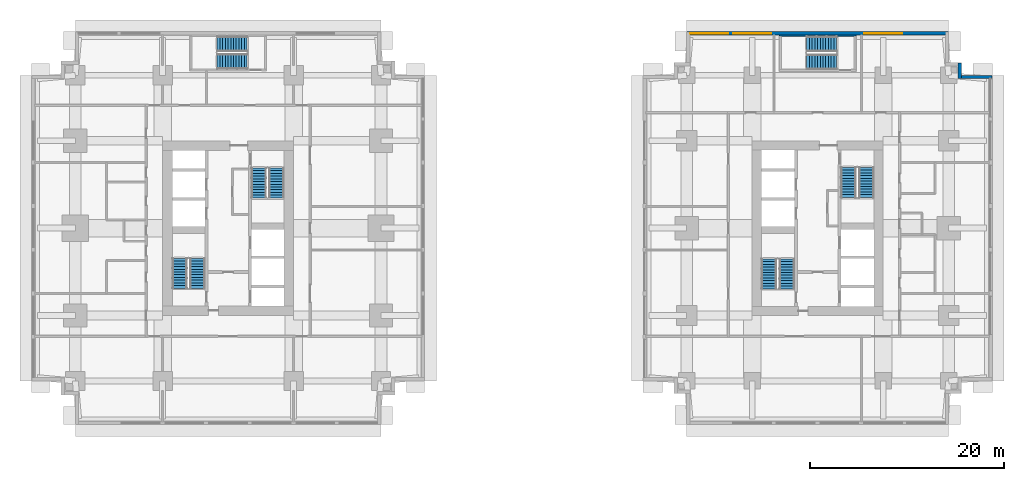
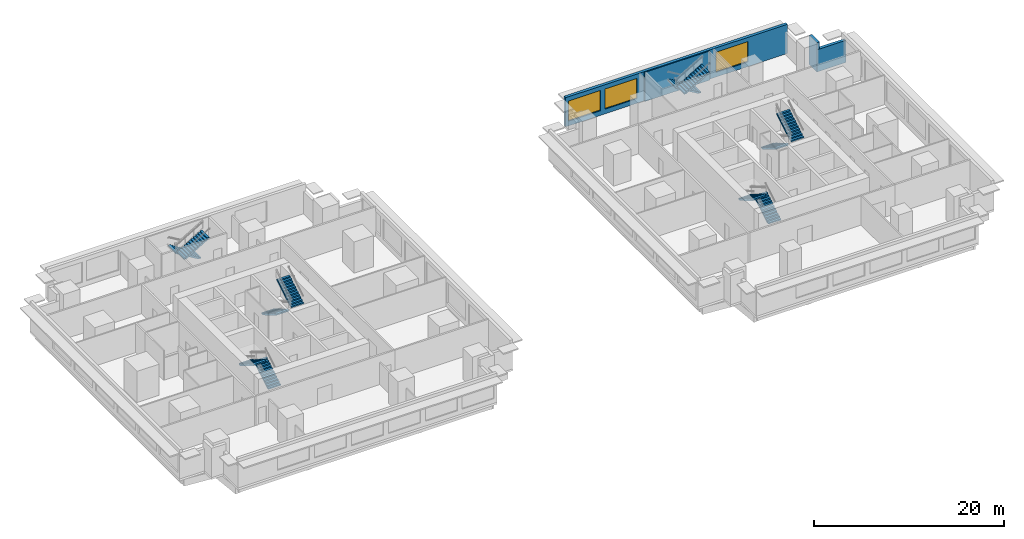
# One storey, part 8 of 11: 12 stair flights, 4 walls, 3 windows, 3 openings, 6 elements without a shape of their own.
"""IFC4 building model written with IfcOpenShell, lengths in metres."""

from ifc_helpers import new_model, si_unit, direction, frame, frame_2d, origin, place, context, subcontext, project, spatial, polyline, rectangle, outline, extrude, material, layer, layer_set, type_object, element, fill, aggregate, save


model = new_model("IFC4")

# Units and contexts
model_context = context("Model", 3, precision=1e-05, world=origin(), true_north=direction((0.0, 1.0)))
body_context = subcontext(model_context, "Body", "Model", "MODEL_VIEW")
ifc_project = project(units=[si_unit("LENGTHUNIT", "METRE"), si_unit("AREAUNIT", "SQUARE_METRE"), si_unit("VOLUMEUNIT", "CUBIC_METRE"), si_unit("PLANEANGLEUNIT", "RADIAN"), si_unit("MASSUNIT", "GRAM", prefix="KILO")], contexts=[model_context])

# Site, building, storey
site_placement = place(None, origin())
site = spatial("IfcSite", under=ifc_project, at=site_placement, CompositionType="ELEMENT")
building_placement = place(site_placement, origin())
building = spatial("IfcBuilding", under=site, at=building_placement, Name="Namib Vertical Campus", CompositionType="ELEMENT")
storey_placement = place(building_placement, frame((0.0, 0.0, 53.0)))
storey = spatial("IfcBuildingStorey", under=building, at=storey_placement, Name="L12", CompositionType="ELEMENT", Elevation=53.0)

# Walls
ifc_material_1 = material(Name="Concrete C40/50", Category="concrete")
ifc_layer_1 = layer(ifc_material_1, 0.35009765625)
ifc_layer_set_1 = layer_set([ifc_layer_1], Name="Concrete C40/50")
wall_type_1 = type_object("IfcWallType", Name="External wall 350 bush-hammered concrete", PredefinedType="STANDARD", material=ifc_layer_set_1)
wall_1_placement = place(storey_placement, frame((98.97998046875, 35.824951171875, 0.0), z_axis=(0.0, 0.0, 1.0), x_axis=(-1.0, 0.0, 0.0)))
element("IfcWall", 1, at=wall_1_placement, inside=storey, type_object=wall_type_1, Name="External wall L12 F07", PredefinedType="STANDARD", context=body_context, shape_type="SweptSolid", body=[
    extrude(rectangle(XDim=3.510009765625, YDim=0.35009765625, at=frame_2d((1.7548828125, 0.0))), origin(), (0.0, 0.0, 1.0), 2.85009765625),
])
wall_2_placement = place(storey_placement, frame((95.625, 35.669921875, 0.0), z_axis=(0.0, 0.0, 1.0), x_axis=(0.0, 1.0, 0.0)))
element("IfcWall", 2, at=wall_2_placement, inside=storey, type_object=wall_type_1, Name="External wall L12 F08", PredefinedType="STANDARD", context=body_context, shape_type="SweptSolid", body=[
    extrude(rectangle(XDim=1.610107421875, YDim=0.35009765625, at=frame_2d((0.80517578125, 0.0))), origin(), (0.0, 0.0, 1.0), 3.75),
])

# Wall, openings, windows
wall_3_placement = place(storey_placement, frame((94.47998046875, 40.324951171875, 0.0), z_axis=(0.0, 0.0, 1.0), x_axis=(-1.0, 0.0, 0.0)))
wall_3 = element("IfcWall", 3, at=wall_3_placement, inside=storey, type_object=wall_type_1, Name="External wall L12 F11", PredefinedType="STANDARD", context=body_context, shape_type="SweptSolid", body=[
    extrude(rectangle(XDim=26.9599609375, YDim=0.35009765625, at=frame_2d((13.47998046875, 0.0))), origin(), (0.0, 0.0, 1.0), 3.75),
])
opening_1_placement = place(wall_3_placement, frame((22.7099609375, 0.0, 0.60009765625)))
opening_1 = element("IfcOpeningElement", 4, at=opening_1_placement, cuts=wall_3, Name="Opening W2", PredefinedType="OPENING", context=body_context, shape_type="SweptSolid", body=[
    extrude(rectangle(XDim=3.89990234375, YDim=2.60009765625, at=frame_2d((1.949951171875, 1.300048828125))), frame((0.0, 0.18505859375, 0.0), z_axis=(0.0, -1.0, 0.0), x_axis=(1.0, 0.0, 0.0)), (0.0, 0.0, 1.0), 0.3701171875),
])
opening_2_placement = place(wall_3_placement, frame((18.280029296875, 0.0, 0.60009765625)))
opening_2 = element("IfcOpeningElement", 5, at=opening_2_placement, cuts=wall_3, Name="Opening W2", PredefinedType="OPENING", context=body_context, shape_type="SweptSolid", body=[
    extrude(rectangle(XDim=3.89990234375, YDim=2.60009765625, at=frame_2d((1.949951171875, 1.300048828125))), frame((0.0, 0.18505859375, 0.0), z_axis=(0.0, -1.0, 0.0), x_axis=(1.0, 0.0, 0.0)), (0.0, 0.0, 1.0), 0.3701171875),
])
opening_3_placement = place(wall_3_placement, frame((4.780029296875, 0.0, 0.60009765625)))
opening_3 = element("IfcOpeningElement", 6, at=opening_3_placement, cuts=wall_3, Name="Opening W2", PredefinedType="OPENING", context=body_context, shape_type="SweptSolid", body=[
    extrude(rectangle(XDim=3.89990234375, YDim=2.60009765625, at=frame_2d((1.949951171875, 1.300048828125))), frame((0.0, 0.18505859375, 0.0), z_axis=(0.0, -1.0, 0.0), x_axis=(1.0, 0.0, 0.0)), (0.0, 0.0, 1.0), 0.3701171875),
])
ifc_material_2 = material(Name="Dark tinted glass in black aluminium frame", Category="aluminium")
window_type = type_object("IfcWindowType", Name="Ribbon window 3900x2600", PartitioningType="SINGLE_PANEL", PredefinedType="WINDOW", material=ifc_material_2)
window_1_placement = place(opening_1_placement, origin())
window_1 = element("IfcWindow", 7, at=window_1_placement, inside=storey, type_object=window_type, Name="Window W2 L12 F11-1", OverallHeight=2.60009765625, OverallWidth=3.89990234375, PartitioningType="SINGLE_PANEL", PredefinedType="WINDOW", context=body_context, shape_type="SweptSolid", body=[
    extrude(rectangle(XDim=3.89990234375, YDim=2.60009765625, at=frame_2d((1.949951171875, 1.300048828125))), frame((0.0, 0.030029296875, 0.0), z_axis=(0.0, -1.0, 0.0), x_axis=(1.0, 0.0, 0.0)), (0.0, 0.0, 1.0), 0.06005859375),
])
fill(opening_1, window_1)
window_2_placement = place(opening_2_placement, origin())
window_2 = element("IfcWindow", 8, at=window_2_placement, inside=storey, type_object=window_type, Name="Window W2 L12 F11-2", OverallHeight=2.60009765625, OverallWidth=3.89990234375, PartitioningType="SINGLE_PANEL", PredefinedType="WINDOW", context=body_context, shape_type="SweptSolid", body=[
    extrude(rectangle(XDim=3.89990234375, YDim=2.60009765625, at=frame_2d((1.949951171875, 1.300048828125))), frame((0.0, 0.030029296875, 0.0), z_axis=(0.0, -1.0, 0.0), x_axis=(1.0, 0.0, 0.0)), (0.0, 0.0, 1.0), 0.06005859375),
])
fill(opening_2, window_2)
window_3_placement = place(opening_3_placement, origin())
window_3 = element("IfcWindow", 9, at=window_3_placement, inside=storey, type_object=window_type, Name="Window W2 L12 F11-5", OverallHeight=2.60009765625, OverallWidth=3.89990234375, PartitioningType="SINGLE_PANEL", PredefinedType="WINDOW", context=body_context, shape_type="SweptSolid", body=[
    extrude(rectangle(XDim=3.89990234375, YDim=2.60009765625, at=frame_2d((1.949951171875, 1.300048828125))), frame((0.0, 0.030029296875, 0.0), z_axis=(0.0, -1.0, 0.0), x_axis=(1.0, 0.0, 0.0)), (0.0, 0.0, 1.0), 0.06005859375),
])
fill(opening_3, window_3)

# Wall
ifc_material_3 = material(Name="Concrete C40/50", Category="concrete")
ifc_layer_2 = layer(ifc_material_3, 0.14990234375)
ifc_layer_set_2 = layer_set([ifc_layer_2], Name="Concrete C40/50")
wall_type_2 = type_object("IfcWallType", Name="Stair enclosure wall RC 150", PredefinedType="SOLIDWALL", material=ifc_layer_set_2)
wall_4_placement = place(storey_placement, frame((77.050048828125, 40.074951171875, 0.0), z_axis=(0.0, 0.0, 1.0), x_axis=(1.0, 0.0, 0.0)))
element("IfcWall", 10, at=wall_4_placement, inside=storey, type_object=wall_type_2, Name="Stair enclosure wall B-S3 L12 N", PredefinedType="SOLIDWALL", context=body_context, shape_type="SweptSolid", body=[
    extrude(rectangle(XDim=7.89990234375, YDim=0.14990234375, at=frame_2d((3.949951171875, 0.0))), origin(), (0.0, 0.0, 1.0), 3.75),
])

# Stair, stair flights
ifc_material_4 = material(Name="Concrete C40/50 precast", Category="concrete")
stair_type_1 = type_object("IfcStairType", Name="Exit stair 4000 rise 24 risers 3350 wide", PredefinedType="HALF_TURN_STAIR", material=ifc_material_4)
stair_1_placement = place(storey_placement, origin())
stair_1 = element("IfcStair", 11, at=stair_1_placement, inside=storey, type_object=stair_type_1, Name="Exit stair A-S1 L12", PredefinedType="HALF_TURN_STAIR")
ifc_material_5 = material(Name="Concrete C40/50 precast", Category="concrete")
stair_flight_type_1 = type_object("IfcStairFlightType", Name="Stair flight 12 risers 167 1525 wide", PredefinedType="STRAIGHT", material=ifc_material_5)
stair_flight_1_placement = place(storey_placement, frame((17.08740234375, 14.050048828125, 0.0), z_axis=(0.0, 0.0, 1.0), x_axis=(0.0, 1.0, 0.0)))
stair_flight_1 = element("IfcStairFlight", 12, at=stair_flight_1_placement, type_object=stair_flight_type_1, Name="A-S1 flight 1", NumberOfRisers=12, NumberOfTreads=11, PredefinedType="STRAIGHT", RiserHeight=0.166666667, TreadLength=0.28, context=body_context, shape_type="SweptSolid", body=[
    extrude(outline(polyline([(0.0, 0.0), (0.0, 0.166748046875), (0.280029296875, 0.166748046875), (0.280029296875, 0.333251953125), (0.56005859375, 0.333251953125), (0.56005859375, 0.5), (0.840087890625, 0.5), (0.840087890625, 0.666748046875), (1.1201171875, 0.666748046875), (1.1201171875, 0.833251953125), (1.39990234375, 0.833251953125), (1.39990234375, 1.0), (1.679931640625, 1.0), (1.679931640625, 1.166748046875), (1.9599609375, 1.166748046875), (1.9599609375, 1.333251953125), (2.239990234375, 1.333251953125), (2.239990234375, 1.5), (2.52001953125, 1.5), (2.52001953125, 1.666748046875), (2.800048828125, 1.666748046875), (2.800048828125, 1.833251953125), (3.080078125, 1.833251953125), (3.080078125, 2.0), (3.080078125, 1.658935546875), (0.29296875, 0.0), (0.0, 0.0)])), frame((0.0, 0.762451171875, 0.0), z_axis=(0.0, -1.0, 0.0), x_axis=(1.0, 0.0, 0.0)), (0.0, 0.0, 1.0), 1.52490234375),
])
stair_flight_2_placement = place(storey_placement, frame((15.262451171875, 17.1298828125, 2.0), z_axis=(0.0, 0.0, 1.0), x_axis=(0.0, -1.0, 0.0)))
stair_flight_2 = element("IfcStairFlight", 13, at=stair_flight_2_placement, type_object=stair_flight_type_1, Name="A-S1 flight 2", NumberOfRisers=12, NumberOfTreads=11, PredefinedType="STRAIGHT", RiserHeight=0.166666667, TreadLength=0.28, context=body_context, shape_type="SweptSolid", body=[
    extrude(outline(polyline([(0.0, 0.0), (0.0, 0.166748046875), (0.280029296875, 0.166748046875), (0.280029296875, 0.333251953125), (0.56005859375, 0.333251953125), (0.56005859375, 0.5), (0.840087890625, 0.5), (0.840087890625, 0.666748046875), (1.1201171875, 0.666748046875), (1.1201171875, 0.833251953125), (1.39990234375, 0.833251953125), (1.39990234375, 1.0), (1.679931640625, 1.0), (1.679931640625, 1.166748046875), (1.9599609375, 1.166748046875), (1.9599609375, 1.333251953125), (2.239990234375, 1.333251953125), (2.239990234375, 1.5), (2.52001953125, 1.5), (2.52001953125, 1.666748046875), (2.800048828125, 1.666748046875), (2.800048828125, 1.833251953125), (3.080078125, 1.833251953125), (3.080078125, 2.0), (3.080078125, 1.658935546875), (0.29296875, 0.0), (0.0, 0.0)])), frame((0.0, 0.762451171875, 0.0), z_axis=(0.0, -1.0, 0.0), x_axis=(1.0, 0.0, 0.0)), (0.0, 0.0, 1.0), 1.52490234375),
])
aggregate(stair_1, [stair_flight_1, stair_flight_2])

stair_2_placement = place(storey_placement, origin())
stair_2 = element("IfcStair", 14, at=stair_2_placement, inside=storey, type_object=stair_type_1, Name="Exit stair A-S2 L12", PredefinedType="HALF_TURN_STAIR")
stair_flight_3_placement = place(storey_placement, frame((23.41259765625, 26.449951171875, 0.0), z_axis=(0.0, 0.0, 1.0), x_axis=(0.0, -1.0, 0.0)))
stair_flight_3 = element("IfcStairFlight", 15, at=stair_flight_3_placement, type_object=stair_flight_type_1, Name="A-S2 flight 1", NumberOfRisers=12, NumberOfTreads=11, PredefinedType="STRAIGHT", RiserHeight=0.166666667, TreadLength=0.28, context=body_context, shape_type="SweptSolid", body=[
    extrude(outline(polyline([(0.0, 0.0), (0.0, 0.166748046875), (0.280029296875, 0.166748046875), (0.280029296875, 0.333251953125), (0.56005859375, 0.333251953125), (0.56005859375, 0.5), (0.840087890625, 0.5), (0.840087890625, 0.666748046875), (1.1201171875, 0.666748046875), (1.1201171875, 0.833251953125), (1.39990234375, 0.833251953125), (1.39990234375, 1.0), (1.679931640625, 1.0), (1.679931640625, 1.166748046875), (1.9599609375, 1.166748046875), (1.9599609375, 1.333251953125), (2.239990234375, 1.333251953125), (2.239990234375, 1.5), (2.52001953125, 1.5), (2.52001953125, 1.666748046875), (2.800048828125, 1.666748046875), (2.800048828125, 1.833251953125), (3.080078125, 1.833251953125), (3.080078125, 2.0), (3.080078125, 1.658935546875), (0.29296875, 0.0), (0.0, 0.0)])), frame((0.0, 0.762451171875, 0.0), z_axis=(0.0, -1.0, 0.0), x_axis=(1.0, 0.0, 0.0)), (0.0, 0.0, 1.0), 1.52490234375),
])
stair_flight_4_placement = place(storey_placement, frame((25.237548828125, 23.3701171875, 2.0), z_axis=(0.0, 0.0, 1.0), x_axis=(0.0, 1.0, 0.0)))
stair_flight_4 = element("IfcStairFlight", 16, at=stair_flight_4_placement, type_object=stair_flight_type_1, Name="A-S2 flight 2", NumberOfRisers=12, NumberOfTreads=11, PredefinedType="STRAIGHT", RiserHeight=0.166666667, TreadLength=0.28, context=body_context, shape_type="SweptSolid", body=[
    extrude(outline(polyline([(0.0, 0.0), (0.0, 0.166748046875), (0.280029296875, 0.166748046875), (0.280029296875, 0.333251953125), (0.56005859375, 0.333251953125), (0.56005859375, 0.5), (0.840087890625, 0.5), (0.840087890625, 0.666748046875), (1.1201171875, 0.666748046875), (1.1201171875, 0.833251953125), (1.39990234375, 0.833251953125), (1.39990234375, 1.0), (1.679931640625, 1.0), (1.679931640625, 1.166748046875), (1.9599609375, 1.166748046875), (1.9599609375, 1.333251953125), (2.239990234375, 1.333251953125), (2.239990234375, 1.5), (2.52001953125, 1.5), (2.52001953125, 1.666748046875), (2.800048828125, 1.666748046875), (2.800048828125, 1.833251953125), (3.080078125, 1.833251953125), (3.080078125, 2.0), (3.080078125, 1.658935546875), (0.29296875, 0.0), (0.0, 0.0)])), frame((0.0, 0.762451171875, 0.0), z_axis=(0.0, -1.0, 0.0), x_axis=(1.0, 0.0, 0.0)), (0.0, 0.0, 1.0), 1.52490234375),
])
aggregate(stair_2, [stair_flight_3, stair_flight_4])

stair_3_placement = place(storey_placement, origin())
stair_3 = element("IfcStair", 17, at=stair_3_placement, inside=storey, type_object=stair_type_1, Name="Exit stair A-S3 L12", PredefinedType="HALF_TURN_STAIR")
stair_flight_5_placement = place(storey_placement, frame((22.199951171875, 39.237548828125, 0.0), z_axis=(0.0, 0.0, 1.0), x_axis=(-1.0, 0.0, 0.0)))
stair_flight_5 = element("IfcStairFlight", 18, at=stair_flight_5_placement, type_object=stair_flight_type_1, Name="A-S3 flight 1", NumberOfRisers=12, NumberOfTreads=11, PredefinedType="STRAIGHT", RiserHeight=0.166666667, TreadLength=0.28, context=body_context, shape_type="SweptSolid", body=[
    extrude(outline(polyline([(0.0, 0.0), (0.0, 0.166748046875), (0.280029296875, 0.166748046875), (0.280029296875, 0.333251953125), (0.56005859375, 0.333251953125), (0.56005859375, 0.5), (0.840087890625, 0.5), (0.840087890625, 0.666748046875), (1.1201171875, 0.666748046875), (1.1201171875, 0.833251953125), (1.39990234375, 0.833251953125), (1.39990234375, 1.0), (1.679931640625, 1.0), (1.679931640625, 1.166748046875), (1.9599609375, 1.166748046875), (1.9599609375, 1.333251953125), (2.239990234375, 1.333251953125), (2.239990234375, 1.5), (2.52001953125, 1.5), (2.52001953125, 1.666748046875), (2.800048828125, 1.666748046875), (2.800048828125, 1.833251953125), (3.080078125, 1.833251953125), (3.080078125, 2.0), (3.080078125, 1.658935546875), (0.29296875, 0.0), (0.0, 0.0)])), frame((0.0, 0.762451171875, 0.0), z_axis=(0.0, -1.0, 0.0), x_axis=(1.0, 0.0, 0.0)), (0.0, 0.0, 1.0), 1.52490234375),
])
stair_flight_6_placement = place(storey_placement, frame((19.1201171875, 37.41259765625, 2.0), z_axis=(0.0, 0.0, 1.0), x_axis=(1.0, 0.0, 0.0)))
stair_flight_6 = element("IfcStairFlight", 19, at=stair_flight_6_placement, type_object=stair_flight_type_1, Name="A-S3 flight 2", NumberOfRisers=12, NumberOfTreads=11, PredefinedType="STRAIGHT", RiserHeight=0.166666667, TreadLength=0.28, context=body_context, shape_type="SweptSolid", body=[
    extrude(outline(polyline([(0.0, 0.0), (0.0, 0.166748046875), (0.280029296875, 0.166748046875), (0.280029296875, 0.333251953125), (0.56005859375, 0.333251953125), (0.56005859375, 0.5), (0.840087890625, 0.5), (0.840087890625, 0.666748046875), (1.1201171875, 0.666748046875), (1.1201171875, 0.833251953125), (1.39990234375, 0.833251953125), (1.39990234375, 1.0), (1.679931640625, 1.0), (1.679931640625, 1.166748046875), (1.9599609375, 1.166748046875), (1.9599609375, 1.333251953125), (2.239990234375, 1.333251953125), (2.239990234375, 1.5), (2.52001953125, 1.5), (2.52001953125, 1.666748046875), (2.800048828125, 1.666748046875), (2.800048828125, 1.833251953125), (3.080078125, 1.833251953125), (3.080078125, 2.0), (3.080078125, 1.658935546875), (0.29296875, 0.0), (0.0, 0.0)])), frame((0.0, 0.762451171875, 0.0), z_axis=(0.0, -1.0, 0.0), x_axis=(1.0, 0.0, 0.0)), (0.0, 0.0, 1.0), 1.52490234375),
])
aggregate(stair_3, [stair_flight_5, stair_flight_6])

ifc_material_6 = material(Name="Concrete C40/50 precast", Category="concrete")
stair_type_2 = type_object("IfcStairType", Name="Exit stair 4000 rise 24 risers 3400 wide", PredefinedType="HALF_TURN_STAIR", material=ifc_material_6)
stair_4_placement = place(storey_placement, origin())
stair_4 = element("IfcStair", 20, at=stair_4_placement, inside=storey, type_object=stair_type_2, Name="Exit stair B-S1 L12", PredefinedType="HALF_TURN_STAIR")
ifc_material_7 = material(Name="Concrete C40/50 precast", Category="concrete")
stair_flight_type_2 = type_object("IfcStairFlightType", Name="Stair flight 12 risers 167 1550 wide", PredefinedType="STRAIGHT", material=ifc_material_7)
stair_flight_7_placement = place(storey_placement, frame((77.824951171875, 14.0, 0.0), z_axis=(0.0, 0.0, 1.0), x_axis=(0.0, 1.0, 0.0)))
stair_flight_7 = element("IfcStairFlight", 21, at=stair_flight_7_placement, type_object=stair_flight_type_2, Name="B-S1 flight 1", NumberOfRisers=12, NumberOfTreads=11, PredefinedType="STRAIGHT", RiserHeight=0.166666667, TreadLength=0.28, context=body_context, shape_type="SweptSolid", body=[
    extrude(outline(polyline([(0.0, 0.0), (0.0, 0.166748046875), (0.280029296875, 0.166748046875), (0.280029296875, 0.333251953125), (0.56005859375, 0.333251953125), (0.56005859375, 0.5), (0.840087890625, 0.5), (0.840087890625, 0.666748046875), (1.1201171875, 0.666748046875), (1.1201171875, 0.833251953125), (1.39990234375, 0.833251953125), (1.39990234375, 1.0), (1.679931640625, 1.0), (1.679931640625, 1.166748046875), (1.9599609375, 1.166748046875), (1.9599609375, 1.333251953125), (2.239990234375, 1.333251953125), (2.239990234375, 1.5), (2.52001953125, 1.5), (2.52001953125, 1.666748046875), (2.800048828125, 1.666748046875), (2.800048828125, 1.833251953125), (3.080078125, 1.833251953125), (3.080078125, 2.0), (3.080078125, 1.658935546875), (0.29296875, 0.0), (0.0, 0.0)])), frame((0.0, 0.77490234375, 0.0), z_axis=(0.0, -1.0, 0.0), x_axis=(1.0, 0.0, 0.0)), (0.0, 0.0, 1.0), 1.550048828125),
])
stair_flight_8_placement = place(storey_placement, frame((75.97509765625, 17.080078125, 2.0), z_axis=(0.0, 0.0, 1.0), x_axis=(0.0, -1.0, 0.0)))
stair_flight_8 = element("IfcStairFlight", 22, at=stair_flight_8_placement, type_object=stair_flight_type_2, Name="B-S1 flight 2", NumberOfRisers=12, NumberOfTreads=11, PredefinedType="STRAIGHT", RiserHeight=0.166666667, TreadLength=0.28, context=body_context, shape_type="SweptSolid", body=[
    extrude(outline(polyline([(0.0, 0.0), (0.0, 0.166748046875), (0.280029296875, 0.166748046875), (0.280029296875, 0.333251953125), (0.56005859375, 0.333251953125), (0.56005859375, 0.5), (0.840087890625, 0.5), (0.840087890625, 0.666748046875), (1.1201171875, 0.666748046875), (1.1201171875, 0.833251953125), (1.39990234375, 0.833251953125), (1.39990234375, 1.0), (1.679931640625, 1.0), (1.679931640625, 1.166748046875), (1.9599609375, 1.166748046875), (1.9599609375, 1.333251953125), (2.239990234375, 1.333251953125), (2.239990234375, 1.5), (2.52001953125, 1.5), (2.52001953125, 1.666748046875), (2.800048828125, 1.666748046875), (2.800048828125, 1.833251953125), (3.080078125, 1.833251953125), (3.080078125, 2.0), (3.080078125, 1.658935546875), (0.29296875, 0.0), (0.0, 0.0)])), frame((0.0, 0.77490234375, 0.0), z_axis=(0.0, -1.0, 0.0), x_axis=(1.0, 0.0, 0.0)), (0.0, 0.0, 1.0), 1.550048828125),
])
aggregate(stair_4, [stair_flight_7, stair_flight_8])

stair_5_placement = place(storey_placement, origin())
stair_5 = element("IfcStair", 23, at=stair_5_placement, inside=storey, type_object=stair_type_2, Name="Exit stair B-S2 L12", PredefinedType="HALF_TURN_STAIR")
stair_flight_9_placement = place(storey_placement, frame((84.175048828125, 26.5, 0.0), z_axis=(0.0, 0.0, 1.0), x_axis=(0.0, -1.0, 0.0)))
stair_flight_9 = element("IfcStairFlight", 24, at=stair_flight_9_placement, type_object=stair_flight_type_2, Name="B-S2 flight 1", NumberOfRisers=12, NumberOfTreads=11, PredefinedType="STRAIGHT", RiserHeight=0.166666667, TreadLength=0.28, context=body_context, shape_type="SweptSolid", body=[
    extrude(outline(polyline([(0.0, 0.0), (0.0, 0.166748046875), (0.280029296875, 0.166748046875), (0.280029296875, 0.333251953125), (0.56005859375, 0.333251953125), (0.56005859375, 0.5), (0.840087890625, 0.5), (0.840087890625, 0.666748046875), (1.1201171875, 0.666748046875), (1.1201171875, 0.833251953125), (1.39990234375, 0.833251953125), (1.39990234375, 1.0), (1.679931640625, 1.0), (1.679931640625, 1.166748046875), (1.9599609375, 1.166748046875), (1.9599609375, 1.333251953125), (2.239990234375, 1.333251953125), (2.239990234375, 1.5), (2.52001953125, 1.5), (2.52001953125, 1.666748046875), (2.800048828125, 1.666748046875), (2.800048828125, 1.833251953125), (3.080078125, 1.833251953125), (3.080078125, 2.0), (3.080078125, 1.658935546875), (0.29296875, 0.0), (0.0, 0.0)])), frame((0.0, 0.77490234375, 0.0), z_axis=(0.0, -1.0, 0.0), x_axis=(1.0, 0.0, 0.0)), (0.0, 0.0, 1.0), 1.550048828125),
])
stair_flight_10_placement = place(storey_placement, frame((86.02490234375, 23.419921875, 2.0), z_axis=(0.0, 0.0, 1.0), x_axis=(0.0, 1.0, 0.0)))
stair_flight_10 = element("IfcStairFlight", 25, at=stair_flight_10_placement, type_object=stair_flight_type_2, Name="B-S2 flight 2", NumberOfRisers=12, NumberOfTreads=11, PredefinedType="STRAIGHT", RiserHeight=0.166666667, TreadLength=0.28, context=body_context, shape_type="SweptSolid", body=[
    extrude(outline(polyline([(0.0, 0.0), (0.0, 0.166748046875), (0.280029296875, 0.166748046875), (0.280029296875, 0.333251953125), (0.56005859375, 0.333251953125), (0.56005859375, 0.5), (0.840087890625, 0.5), (0.840087890625, 0.666748046875), (1.1201171875, 0.666748046875), (1.1201171875, 0.833251953125), (1.39990234375, 0.833251953125), (1.39990234375, 1.0), (1.679931640625, 1.0), (1.679931640625, 1.166748046875), (1.9599609375, 1.166748046875), (1.9599609375, 1.333251953125), (2.239990234375, 1.333251953125), (2.239990234375, 1.5), (2.52001953125, 1.5), (2.52001953125, 1.666748046875), (2.800048828125, 1.666748046875), (2.800048828125, 1.833251953125), (3.080078125, 1.833251953125), (3.080078125, 2.0), (3.080078125, 1.658935546875), (0.29296875, 0.0), (0.0, 0.0)])), frame((0.0, 0.77490234375, 0.0), z_axis=(0.0, -1.0, 0.0), x_axis=(1.0, 0.0, 0.0)), (0.0, 0.0, 1.0), 1.550048828125),
])
aggregate(stair_5, [stair_flight_9, stair_flight_10])

stair_6_placement = place(storey_placement, origin())
stair_6 = element("IfcStair", 26, at=stair_6_placement, inside=storey, type_object=stair_type_2, Name="Exit stair B-S3 L12", PredefinedType="HALF_TURN_STAIR")
stair_flight_11_placement = place(storey_placement, frame((82.949951171875, 39.22509765625, 0.0), z_axis=(0.0, 0.0, 1.0), x_axis=(-1.0, 0.0, 0.0)))
stair_flight_11 = element("IfcStairFlight", 27, at=stair_flight_11_placement, type_object=stair_flight_type_2, Name="B-S3 flight 1", NumberOfRisers=12, NumberOfTreads=11, PredefinedType="STRAIGHT", RiserHeight=0.166666667, TreadLength=0.28, context=body_context, shape_type="SweptSolid", body=[
    extrude(outline(polyline([(0.0, 0.0), (0.0, 0.166748046875), (0.280029296875, 0.166748046875), (0.280029296875, 0.333251953125), (0.56005859375, 0.333251953125), (0.56005859375, 0.5), (0.840087890625, 0.5), (0.840087890625, 0.666748046875), (1.1201171875, 0.666748046875), (1.1201171875, 0.833251953125), (1.39990234375, 0.833251953125), (1.39990234375, 1.0), (1.679931640625, 1.0), (1.679931640625, 1.166748046875), (1.9599609375, 1.166748046875), (1.9599609375, 1.333251953125), (2.239990234375, 1.333251953125), (2.239990234375, 1.5), (2.52001953125, 1.5), (2.52001953125, 1.666748046875), (2.800048828125, 1.666748046875), (2.800048828125, 1.833251953125), (3.080078125, 1.833251953125), (3.080078125, 2.0), (3.080078125, 1.658935546875), (0.29296875, 0.0), (0.0, 0.0)])), frame((0.0, 0.77490234375, 0.0), z_axis=(0.0, -1.0, 0.0), x_axis=(1.0, 0.0, 0.0)), (0.0, 0.0, 1.0), 1.550048828125),
])
stair_flight_12_placement = place(storey_placement, frame((79.8701171875, 37.375, 2.0), z_axis=(0.0, 0.0, 1.0), x_axis=(1.0, 0.0, 0.0)))
stair_flight_12 = element("IfcStairFlight", 28, at=stair_flight_12_placement, type_object=stair_flight_type_2, Name="B-S3 flight 2", NumberOfRisers=12, NumberOfTreads=11, PredefinedType="STRAIGHT", RiserHeight=0.166666667, TreadLength=0.28, context=body_context, shape_type="SweptSolid", body=[
    extrude(outline(polyline([(0.0, 0.0), (0.0, 0.166748046875), (0.280029296875, 0.166748046875), (0.280029296875, 0.333251953125), (0.56005859375, 0.333251953125), (0.56005859375, 0.5), (0.840087890625, 0.5), (0.840087890625, 0.666748046875), (1.1201171875, 0.666748046875), (1.1201171875, 0.833251953125), (1.39990234375, 0.833251953125), (1.39990234375, 1.0), (1.679931640625, 1.0), (1.679931640625, 1.166748046875), (1.9599609375, 1.166748046875), (1.9599609375, 1.333251953125), (2.239990234375, 1.333251953125), (2.239990234375, 1.5), (2.52001953125, 1.5), (2.52001953125, 1.666748046875), (2.800048828125, 1.666748046875), (2.800048828125, 1.833251953125), (3.080078125, 1.833251953125), (3.080078125, 2.0), (3.080078125, 1.658935546875), (0.29296875, 0.0), (0.0, 0.0)])), frame((0.0, 0.77490234375, 0.0), z_axis=(0.0, -1.0, 0.0), x_axis=(1.0, 0.0, 0.0)), (0.0, 0.0, 1.0), 1.550048828125),
])
aggregate(stair_6, [stair_flight_11, stair_flight_12])

save(model, "model.ifc")
